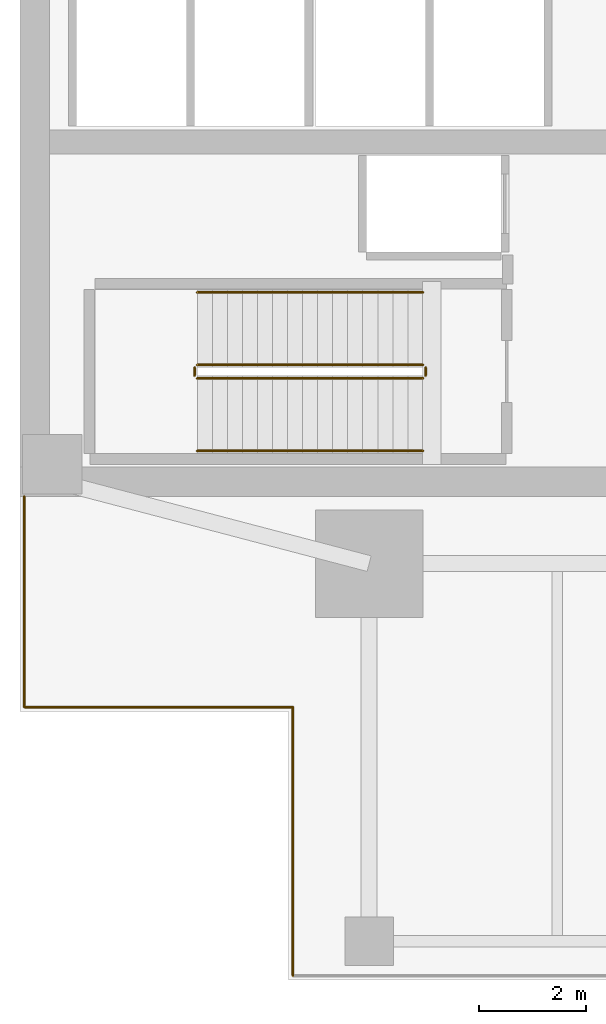
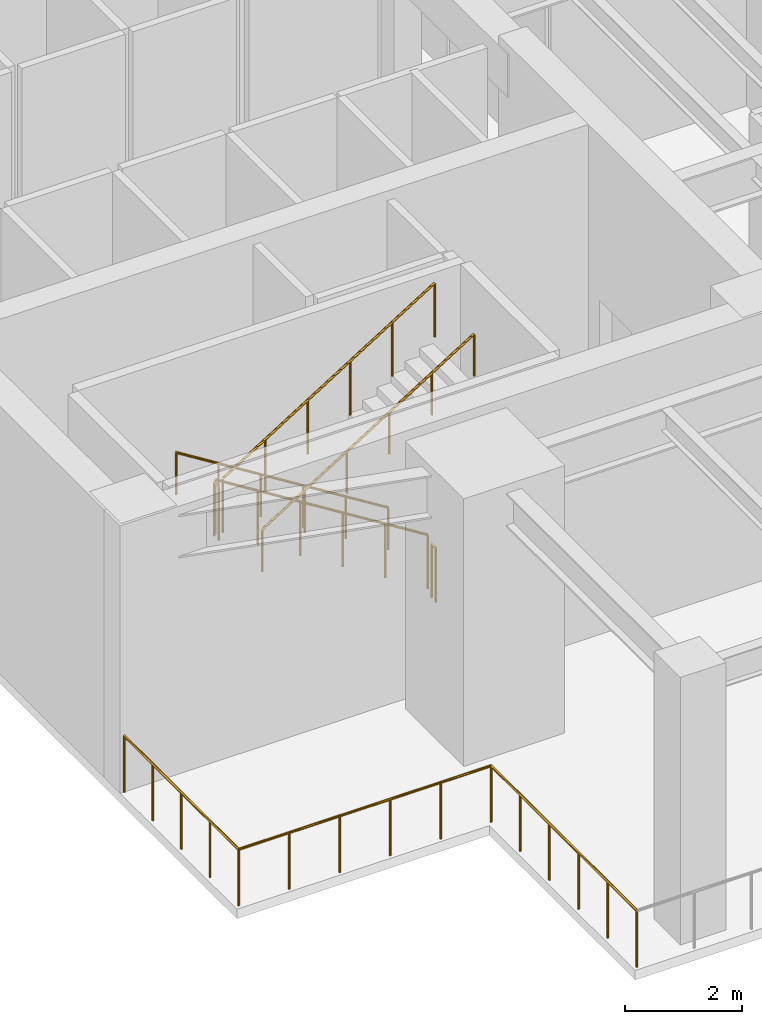
# One storey, part 5 of 8: 9 railings.
"""IFC4 building model written with IfcOpenShell, lengths in metres."""

from ifc_helpers import new_model, si_unit, direction, frame, origin, origin_2d, place, context, subcontext, project, spatial, circle, extrude, material, type_object, element, save


model = new_model("IFC4")

# Units and contexts
model_context = context("Model", 3, precision=1e-05, world=origin(), true_north=direction((0.0, 1.0)))
body_context = subcontext(model_context, "Body", "Model", "MODEL_VIEW")
ifc_project = project(units=[si_unit("LENGTHUNIT", "METRE"), si_unit("AREAUNIT", "SQUARE_METRE"), si_unit("VOLUMEUNIT", "CUBIC_METRE"), si_unit("PLANEANGLEUNIT", "RADIAN"), si_unit("MASSUNIT", "GRAM", prefix="KILO")], contexts=[model_context])

# Site, building, storey
site_placement = place(None, origin())
site = spatial("IfcSite", under=ifc_project, at=site_placement, CompositionType="ELEMENT")
building_placement = place(site_placement, origin())
building = spatial("IfcBuilding", under=site, at=building_placement, Name="Kinhvarn Gate Tower", CompositionType="ELEMENT")
storey_placement = place(building_placement, frame((0.0, 0.0, 178.050048828125)))
storey = spatial("IfcBuildingStorey", under=building, at=storey_placement, Name="L47", CompositionType="ELEMENT", Elevation=178.050048828125)

# Railings
ifc_material = material(Name="Steel S355", Category="steel")
railing_type_1 = type_object("IfcRailingType", Name="RL-ST-GRD", PredefinedType="BALUSTRADE", material=ifc_material)
railing_1_placement = place(storey_placement, frame((12.0, 16.449951171875, 0.175048828125)))
element("IfcRailing", 1, at=railing_1_placement, inside=storey, type_object=railing_type_1, Name="L47 ST1 stair guard 1", PredefinedType="BALUSTRADE", context=body_context, shape_type="SweptSolid", body=[
    extrude(circle(Radius=0.02392578125, at=origin_2d()), frame((0.0, 0.0, 1.1259765625), z_axis=(-0.847995534698, 0.0, 0.530003370869), x_axis=(0.0, -1.0, 0.0)), (0.0, 0.0, 1.0), 4.952880859375),
    extrude(circle(Radius=0.02099609375, at=origin_2d()), origin(), (0.0, 0.0, 1.0), 1.101806640625),
    extrude(circle(Radius=0.02099609375, at=origin_2d()), frame((-0.840087890625, 0.0, 0.52490234375)), (0.0, 0.0, 1.0), 1.101806640625),
    extrude(circle(Radius=0.02099609375, at=origin_2d()), frame((-1.679931640625, 0.0, 1.050048828125)), (0.0, 0.0, 1.0), 1.101806640625),
    extrude(circle(Radius=0.02099609375, at=origin_2d()), frame((-2.52001953125, 0.0, 1.574951171875)), (0.0, 0.0, 1.0), 1.101806640625),
    extrude(circle(Radius=0.02099609375, at=origin_2d()), frame((-3.35986328125, 0.0, 2.10009765625)), (0.0, 0.0, 1.0), 1.101806640625),
    extrude(circle(Radius=0.02099609375, at=origin_2d()), frame((-4.199951171875, 0.0, 2.625)), (0.0, 0.0, 1.0), 1.101806640625),
])
railing_2_placement = place(storey_placement, frame((7.75, 16.39990234375, 2.800048828125)))
element("IfcRailing", 2, at=railing_2_placement, inside=storey, type_object=railing_type_1, Name="L47 ST1 stair guard 2", PredefinedType="BALUSTRADE", context=body_context, shape_type="SweptSolid", body=[
    extrude(circle(Radius=0.02392578125, at=origin_2d()), frame((0.0, 0.0, 1.1259765625), z_axis=(0.0, -1.0, 0.0), x_axis=(1.0, 0.0, 0.0)), (0.0, 0.0, 1.0), 0.14990234375),
    extrude(circle(Radius=0.02099609375, at=origin_2d()), origin(), (0.0, 0.0, 1.0), 1.101806640625),
    extrude(circle(Radius=0.02099609375, at=origin_2d()), frame((0.0, -0.14990234375, 0.0)), (0.0, 0.0, 1.0), 1.101806640625),
])
railing_3_placement = place(storey_placement, frame((7.800048828125, 16.199951171875, 2.974853515625)))
element("IfcRailing", 3, at=railing_3_placement, inside=storey, type_object=railing_type_1, Name="L47 ST1 stair guard 3", PredefinedType="BALUSTRADE", context=body_context, shape_type="SweptSolid", body=[
    extrude(circle(Radius=0.02392578125, at=origin_2d()), frame((0.0, 0.0, 1.1259765625), z_axis=(0.847995534698, 0.0, 0.530003370869), x_axis=(0.0, 1.0, 0.0)), (0.0, 0.0, 1.0), 4.952880859375),
    extrude(circle(Radius=0.02099609375, at=origin_2d()), origin(), (0.0, 0.0, 1.0), 1.101806640625),
    extrude(circle(Radius=0.02099609375, at=origin_2d()), frame((0.840087890625, 0.0, 0.52490234375)), (0.0, 0.0, 1.0), 1.101806640625),
    extrude(circle(Radius=0.02099609375, at=origin_2d()), frame((1.679931640625, 0.0, 1.050048828125)), (0.0, 0.0, 1.0), 1.101806640625),
    extrude(circle(Radius=0.02099609375, at=origin_2d()), frame((2.52001953125, 0.0, 1.574951171875)), (0.0, 0.0, 1.0), 1.101806640625),
    extrude(circle(Radius=0.02099609375, at=origin_2d()), frame((3.35986328125, 0.0, 2.10009765625)), (0.0, 0.0, 1.0), 1.101806640625),
    extrude(circle(Radius=0.02099609375, at=origin_2d()), frame((4.199951171875, 0.0, 2.625)), (0.0, 0.0, 1.0), 1.101806640625),
])
railing_4_placement = place(storey_placement, frame((12.050048828125, 16.39990234375, 0.0)))
element("IfcRailing", 4, at=railing_4_placement, inside=storey, type_object=railing_type_1, Name="L47 ST1 stair guard 4", PredefinedType="BALUSTRADE", context=body_context, shape_type="SweptSolid", body=[
    extrude(circle(Radius=0.02392578125, at=origin_2d()), frame((0.0, 0.0, 1.1259765625), z_axis=(0.0, -1.0, 0.0), x_axis=(1.0, 0.0, 0.0)), (0.0, 0.0, 1.0), 0.14990234375),
    extrude(circle(Radius=0.02099609375, at=origin_2d()), origin(), (0.0, 0.0, 1.0), 1.101806640625),
    extrude(circle(Radius=0.02099609375, at=origin_2d()), frame((0.0, -0.14990234375, 0.0)), (0.0, 0.0, 1.0), 1.101806640625),
])
railing_type_2 = type_object("IfcRailingType", Name="RL-ST-HND", PredefinedType="HANDRAIL", material=ifc_material)
railing_5_placement = place(storey_placement, frame((12.0, 17.800048828125, 0.175048828125)))
element("IfcRailing", 5, at=railing_5_placement, inside=storey, type_object=railing_type_2, Name="L47 ST1 stair handrail 1", PredefinedType="HANDRAIL", context=body_context, shape_type="SweptSolid", body=[
    extrude(circle(Radius=0.02392578125, at=origin_2d()), frame((0.0, 0.0, 0.8759765625), z_axis=(-0.847995534698, 0.0, 0.530003370869), x_axis=(0.0, -1.0, 0.0)), (0.0, 0.0, 1.0), 4.952880859375),
    extrude(circle(Radius=0.02099609375, at=origin_2d()), origin(), (0.0, 0.0, 1.0), 0.851806640625),
    extrude(circle(Radius=0.02099609375, at=origin_2d()), frame((-0.840087890625, 0.0, 0.52490234375)), (0.0, 0.0, 1.0), 0.851806640625),
    extrude(circle(Radius=0.02099609375, at=origin_2d()), frame((-1.679931640625, 0.0, 1.050048828125)), (0.0, 0.0, 1.0), 0.851806640625),
    extrude(circle(Radius=0.02099609375, at=origin_2d()), frame((-2.52001953125, 0.0, 1.574951171875)), (0.0, 0.0, 1.0), 0.851806640625),
    extrude(circle(Radius=0.02099609375, at=origin_2d()), frame((-3.35986328125, 0.0, 2.10009765625)), (0.0, 0.0, 1.0), 0.851806640625),
    extrude(circle(Radius=0.02099609375, at=origin_2d()), frame((-4.199951171875, 0.0, 2.625)), (0.0, 0.0, 1.0), 0.851806640625),
])
railing_6_placement = place(storey_placement, frame((7.800048828125, 14.85009765625, 2.974853515625)))
element("IfcRailing", 6, at=railing_6_placement, inside=storey, type_object=railing_type_2, Name="L47 ST1 stair handrail 2", PredefinedType="HANDRAIL", context=body_context, shape_type="SweptSolid", body=[
    extrude(circle(Radius=0.02392578125, at=origin_2d()), frame((0.0, 0.0, 0.8759765625), z_axis=(0.847995534698, 0.0, 0.530003370869), x_axis=(0.0, 1.0, 0.0)), (0.0, 0.0, 1.0), 4.952880859375),
    extrude(circle(Radius=0.02099609375, at=origin_2d()), origin(), (0.0, 0.0, 1.0), 0.851806640625),
    extrude(circle(Radius=0.02099609375, at=origin_2d()), frame((0.840087890625, 0.0, 0.52490234375)), (0.0, 0.0, 1.0), 0.851806640625),
    extrude(circle(Radius=0.02099609375, at=origin_2d()), frame((1.679931640625, 0.0, 1.050048828125)), (0.0, 0.0, 1.0), 0.851806640625),
    extrude(circle(Radius=0.02099609375, at=origin_2d()), frame((2.52001953125, 0.0, 1.574951171875)), (0.0, 0.0, 1.0), 0.851806640625),
    extrude(circle(Radius=0.02099609375, at=origin_2d()), frame((3.35986328125, 0.0, 2.10009765625)), (0.0, 0.0, 1.0), 0.851806640625),
    extrude(circle(Radius=0.02099609375, at=origin_2d()), frame((4.199951171875, 0.0, 2.625)), (0.0, 0.0, 1.0), 0.851806640625),
])
railing_type_3 = type_object("IfcRailingType", Name="RL-WPT-1200", PredefinedType="BALUSTRADE", material=ifc_material)
railing_7_placement = place(storey_placement, frame((4.580078125, 14.0, 0.0)))
element("IfcRailing", 7, at=railing_7_placement, inside=storey, type_object=railing_type_3, Name="Wind Portal Open Aero-Deck Perimeter Balustrade Seg 1 (L47)", PredefinedType="BALUSTRADE", context=body_context, shape_type="SweptSolid", body=[
    extrude(circle(Radius=0.02392578125, at=origin_2d()), frame((0.0, 0.0, 1.17578125), z_axis=(0.0, -1.0, 0.0), x_axis=(1.0, 0.0, 0.0)), (0.0, 0.0, 1.0), 3.919921875),
    extrude(circle(Radius=0.02099609375, at=origin_2d()), origin(), (0.0, 0.0, 1.0), 1.15185546875),
    extrude(circle(Radius=0.02099609375, at=origin_2d()), frame((0.0, -0.97998046875, 0.0)), (0.0, 0.0, 1.0), 1.15185546875),
    extrude(circle(Radius=0.02099609375, at=origin_2d()), frame((0.0, -1.9599609375, 0.0)), (0.0, 0.0, 1.0), 1.15185546875),
    extrude(circle(Radius=0.02099609375, at=origin_2d()), frame((0.0, -2.93994140625, 0.0)), (0.0, 0.0, 1.0), 1.15185546875),
    extrude(circle(Radius=0.02099609375, at=origin_2d()), frame((0.0, -3.919921875, 0.0)), (0.0, 0.0, 1.0), 1.15185546875),
])
railing_8_placement = place(storey_placement, frame((4.580078125, 10.080078125, 0.0)))
element("IfcRailing", 8, at=railing_8_placement, inside=storey, type_object=railing_type_3, Name="Wind Portal Open Aero-Deck Perimeter Balustrade Seg 2 (L47)", PredefinedType="BALUSTRADE", context=body_context, shape_type="SweptSolid", body=[
    extrude(circle(Radius=0.02392578125, at=origin_2d()), frame((0.0, 0.0, 1.17578125), z_axis=(1.0, 0.0, 0.0), x_axis=(0.0, 1.0, 0.0)), (0.0, 0.0, 1.0), 5.0),
    extrude(circle(Radius=0.02099609375, at=origin_2d()), origin(), (0.0, 0.0, 1.0), 1.15185546875),
    extrude(circle(Radius=0.02099609375, at=origin_2d()), frame((1.0, 0.0, 0.0)), (0.0, 0.0, 1.0), 1.15185546875),
    extrude(circle(Radius=0.02099609375, at=origin_2d()), frame((2.0, 0.0, 0.0)), (0.0, 0.0, 1.0), 1.15185546875),
    extrude(circle(Radius=0.02099609375, at=origin_2d()), frame((3.0, 0.0, 0.0)), (0.0, 0.0, 1.0), 1.15185546875),
    extrude(circle(Radius=0.02099609375, at=origin_2d()), frame((4.0, 0.0, 0.0)), (0.0, 0.0, 1.0), 1.15185546875),
    extrude(circle(Radius=0.02099609375, at=origin_2d()), frame((5.0, 0.0, 0.0)), (0.0, 0.0, 1.0), 1.15185546875),
])
railing_9_placement = place(storey_placement, frame((9.580078125, 10.080078125, 0.0)))
element("IfcRailing", 9, at=railing_9_placement, inside=storey, type_object=railing_type_3, Name="Wind Portal Open Aero-Deck Perimeter Balustrade Seg 3 (L47)", PredefinedType="BALUSTRADE", context=body_context, shape_type="SweptSolid", body=[
    extrude(circle(Radius=0.02392578125, at=origin_2d()), frame((0.0, 0.0, 1.17578125), z_axis=(0.0, -1.0, 0.0), x_axis=(1.0, 0.0, 0.0)), (0.0, 0.0, 1.0), 5.0),
    extrude(circle(Radius=0.02099609375, at=origin_2d()), origin(), (0.0, 0.0, 1.0), 1.15185546875),
    extrude(circle(Radius=0.02099609375, at=origin_2d()), frame((0.0, -1.0, 0.0)), (0.0, 0.0, 1.0), 1.15185546875),
    extrude(circle(Radius=0.02099609375, at=origin_2d()), frame((0.0, -2.0, 0.0)), (0.0, 0.0, 1.0), 1.15185546875),
    extrude(circle(Radius=0.02099609375, at=origin_2d()), frame((0.0, -3.0, 0.0)), (0.0, 0.0, 1.0), 1.15185546875),
    extrude(circle(Radius=0.02099609375, at=origin_2d()), frame((0.0, -4.0, 0.0)), (0.0, 0.0, 1.0), 1.15185546875),
    extrude(circle(Radius=0.02099609375, at=origin_2d()), frame((0.0, -5.0, 0.0)), (0.0, 0.0, 1.0), 1.15185546875),
])

save(model, "model.ifc")
